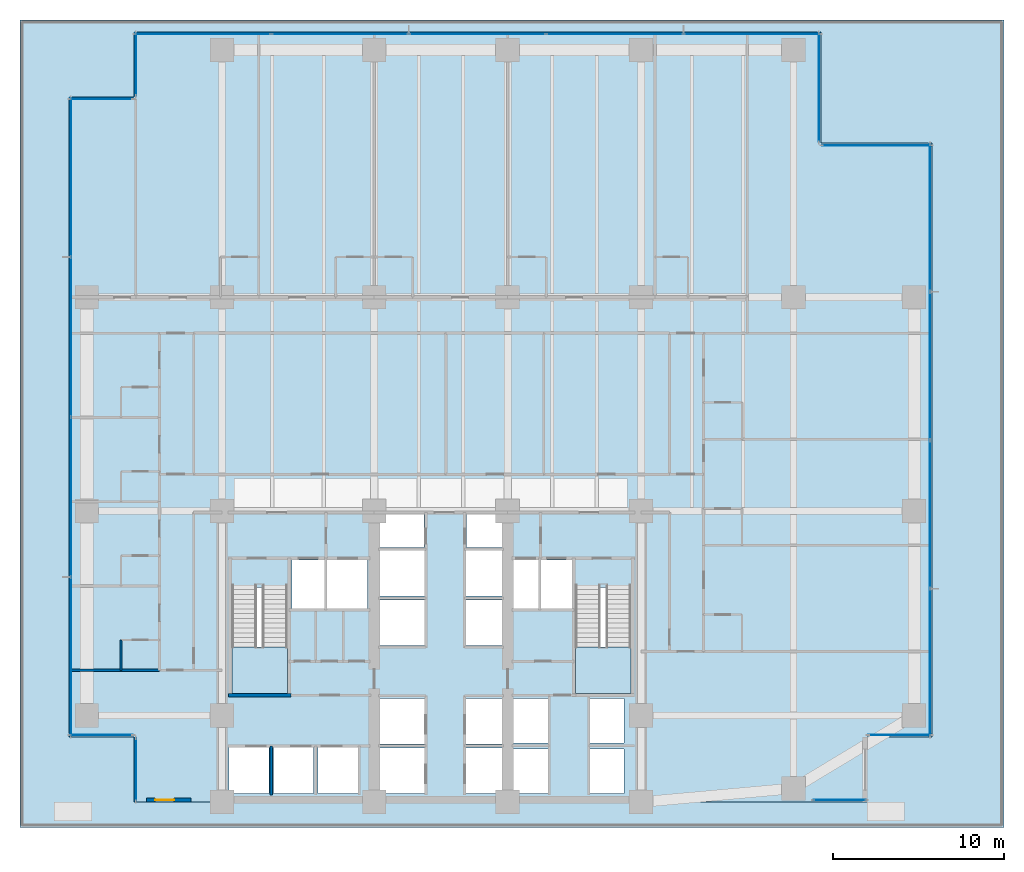
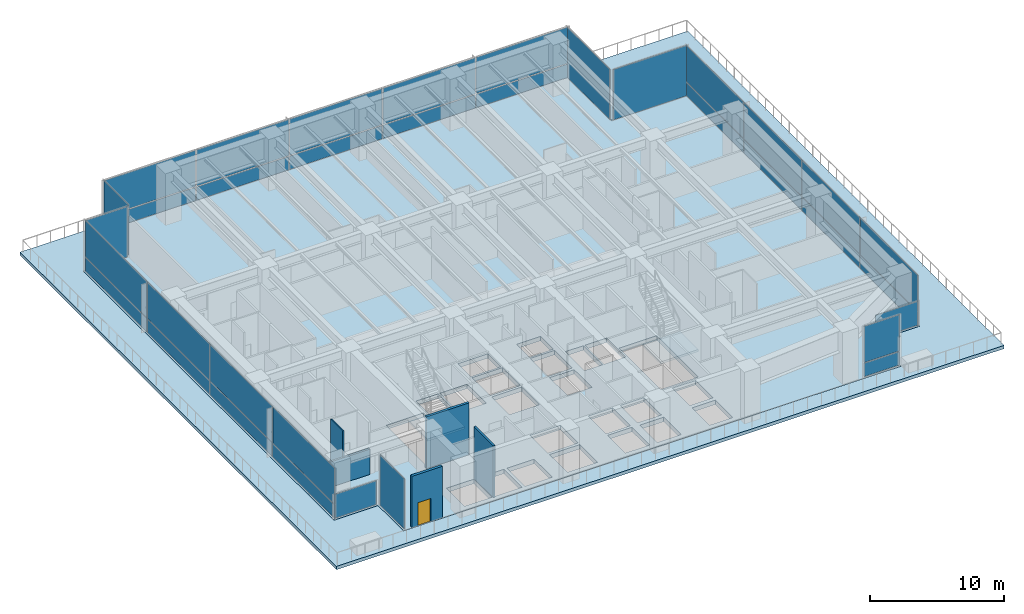
# One storey, part 6 of 19: 35 plates, 5 walls, 4 slabs, 1 door, 1 opening, 13 elements without a shape of their own.
"""IFC4 building model written with IfcOpenShell, lengths in metres."""

import ifcopenshell
import ifcopenshell.guid

model = None  # the IFC model being written
_history = None  # IfcOwnerHistory: only IFC2X3 demands one
_inside = {}  # id of a spatial element -> (the spatial element, [elements in it])
_under = {}  # id of a project, library or spatial element -> (it, [spatial elements below it])
_declared = {}  # id of a project -> (the project, [libraries it declares])
_typed = {}  # id of a type object -> (the type object, [elements of that type])
_made_of = {}  # id of a material, layer set ... -> (it, [elements and type objects made of it])


def new_model(schema):
    """Start an empty IFC model of exactly this schema.

    Asked for "IFC4X3", IfcOpenShell would pick the latest addendum, in which some entities
    have other attributes; the version numbers below select the first issue.
    IFC2X3 requires an IfcOwnerHistory on every rooted entity: one is made here for all.
    """
    global model, _history
    if schema == "IFC4X3":
        model = ifcopenshell.file(schema_version=(4, 3, 0, 0))
    else:
        model = ifcopenshell.file(schema=schema)
    _inside.clear()
    _under.clear()
    _declared.clear()
    _typed.clear()
    _made_of.clear()
    _history = None
    if model.schema == "IFC2X3":
        org = make("IfcOrganization", Name="unknown")
        user = make(
            "IfcPersonAndOrganization",
            ThePerson=make("IfcPerson", FamilyName="unknown"),
            TheOrganization=org,
        )
        app = make(
            "IfcApplication",
            ApplicationDeveloper=org,
            Version="unknown",
            ApplicationFullName="unknown",
            ApplicationIdentifier="unknown",
        )
        _history = make(
            "IfcOwnerHistory",
            OwningUser=user,
            OwningApplication=app,
            ChangeAction="ADDED",
            CreationDate=0,
        )
    return model


def make(cls, **values):
    """One entity of the class cls with the attributes given. An attribute that is None is left unset."""
    return model.create_entity(
        cls, **{name: value for name, value in values.items() if value is not None}
    )


def rooted(cls, **values):
    """An entity with a GlobalId (a new one), such as an element, a storey or a relation."""
    return make(cls, GlobalId=ifcopenshell.guid.new(), OwnerHistory=_history, **values)


def si_unit(unit_type, name, prefix=None):
    """IfcSIUnit, for example si_unit("LENGTHUNIT", "METRE", prefix="MILLI")."""
    return make("IfcSIUnit", UnitType=unit_type, Prefix=prefix, Name=name)


def assignment(units):
    """IfcUnitAssignment: the units of a project."""
    return None if units is None else make("IfcUnitAssignment", Units=units)


def point(xyz):
    """IfcCartesianPoint."""
    return None if xyz is None else make("IfcCartesianPoint", Coordinates=xyz)


def direction(xyz):
    """IfcDirection."""
    return None if xyz is None else make("IfcDirection", DirectionRatios=xyz)


def frame(location, z_axis=None, x_axis=None):
    """IfcAxis2Placement3D, a coordinate frame: its origin and axes. An axis left out is left unset."""
    return make(
        "IfcAxis2Placement3D",
        Location=point(location),
        Axis=direction(z_axis),
        RefDirection=direction(x_axis),
    )


def frame_2d(location, x_axis=None):
    """IfcAxis2Placement2D, a coordinate frame in the plane: its origin and x axis."""
    return make(
        "IfcAxis2Placement2D", Location=point(location), RefDirection=direction(x_axis)
    )


def origin():
    """The frame at (0, 0, 0) with its axes left unset."""
    return frame((0.0, 0.0, 0.0))


def origin_2d():
    """The frame at (0, 0) in the plane with its x axis left unset."""
    return frame_2d((0.0, 0.0))


def place(relative_to, where):
    """IfcLocalPlacement: puts the frame where relative to a parent placement (None: the world)."""
    return make(
        "IfcLocalPlacement", PlacementRelTo=relative_to, RelativePlacement=where
    )


def context(
    kind, dimensions, precision=None, world=None, true_north=None, identifier=None
):
    """IfcGeometricRepresentationContext, for example the 3D "Model" context."""
    return make(
        "IfcGeometricRepresentationContext",
        ContextIdentifier=identifier,
        ContextType=kind,
        CoordinateSpaceDimension=dimensions,
        Precision=precision,
        WorldCoordinateSystem=world,
        TrueNorth=true_north,
    )


def subcontext(parent, identifier, kind, view, scale=None):
    """IfcGeometricRepresentationSubContext, for example "Body" below "Model"."""
    return make(
        "IfcGeometricRepresentationSubContext",
        ContextIdentifier=identifier,
        ContextType=kind,
        ParentContext=parent,
        TargetScale=scale,
        TargetView=view,
    )


def project(units=None, contexts=None):
    """IfcProject with its units and contexts."""
    return rooted(
        "IfcProject",
        Name="project",
        RepresentationContexts=contexts,
        UnitsInContext=assignment(units),
    )


def spatial(cls, under=None, at=None, **own):
    """A site, building, storey or space (cls), placed at a placement, below another one or the project."""
    s = rooted(cls, ObjectPlacement=at, **own)
    if under is not None:
        _under.setdefault(under.id(), (under, []))[1].append(s)
    return s


def polyline(points):
    """IfcPolyline through the points."""
    return make("IfcPolyline", Points=[point(p) for p in points])


def profile(cls, at=None, kind="AREA", **sizes):
    """A parametric profile (cls). Its sizes go by their IFC names, for example OverallWidth=200.0."""
    return make(cls, ProfileType=kind, Position=at, **sizes)


def rectangle(**sizes):
    """IfcRectangleProfileDef."""
    return profile("IfcRectangleProfileDef", **sizes)


def outline(outer, holes=None, kind="AREA"):
    """IfcArbitraryClosedProfileDef: a profile drawn as a closed curve; with holes, ...WithVoids."""
    if holes is None:
        return make("IfcArbitraryClosedProfileDef", ProfileType=kind, OuterCurve=outer)
    return make(
        "IfcArbitraryProfileDefWithVoids",
        ProfileType=kind,
        OuterCurve=outer,
        InnerCurves=holes,
    )


def extrude(swept, where, along, depth):
    """IfcExtrudedAreaSolid: the profile swept, set in the frame where, extruded along a direction by depth."""
    return make(
        "IfcExtrudedAreaSolid",
        SweptArea=swept,
        Position=where,
        ExtrudedDirection=direction(along),
        Depth=depth,
    )


def shape(context_of_items, identifier, shape_type, items):
    """IfcShapeRepresentation: the items that make up one representation, for example the "Body"."""
    return make(
        "IfcShapeRepresentation",
        ContextOfItems=context_of_items,
        RepresentationIdentifier=identifier,
        RepresentationType=shape_type,
        Items=items,
    )


def material(Name=None, Category=None):
    """IfcMaterial."""
    return make("IfcMaterial", Name=Name, Category=Category)


def layer(
    of_material, thickness, ventilated=None, Name=None, Category=None, Priority=None
):
    """IfcMaterialLayer: one layer of a wall or slab, of a material (None: an air gap)."""
    return make(
        "IfcMaterialLayer",
        Material=of_material,
        LayerThickness=thickness,
        IsVentilated=ventilated,
        Name=Name,
        Category=Category,
        Priority=Priority,
    )


def layer_set(layers, Name=None):
    """IfcMaterialLayerSet."""
    return make("IfcMaterialLayerSet", MaterialLayers=layers, LayerSetName=Name)


def made_of(thing, what):
    """Note that an element or type object is made of a material, layer set ...; save() writes the relation."""
    if what is not None:
        _made_of.setdefault(what.id(), (what, []))[1].append(thing)
    return thing


def type_object(cls, material=None, **own):
    """A type object (cls), such as IfcWallType, which elements share."""
    return made_of(rooted(cls, **own), material)


def element(
    cls,
    number,
    at=None,
    inside=None,
    cuts=None,
    type_object=None,
    material=None,
    context=None,
    identifier="Body",
    shape_type=None,
    held_by="IfcProductDefinitionShape",
    body=None,
    shapes=None,
    **own,
):
    """One element of the class cls, such as IfcWall. Its Tag is "e" and its number.

    at: its placement. inside: the storey or other place that contains it. cuts: it is an
    opening in that element (IfcRelVoidsElement). A single representation is given by context,
    identifier, shape_type and body (its items); several are given by shapes. held_by: the class
    of the entity that holds the representations. save() writes the other relations.
    """
    e = rooted(cls, Tag="e%d" % number, ObjectPlacement=at, **own)
    if body is not None:
        shapes = [shape(context, identifier, shape_type, body)]
    if shapes is not None:
        e.Representation = make(held_by, Representations=shapes)
    if inside is not None:
        _inside.setdefault(inside.id(), (inside, []))[1].append(e)
    if cuts is not None:
        rooted(
            "IfcRelVoidsElement", RelatingBuildingElement=cuts, RelatedOpeningElement=e
        )
    if type_object is not None:
        _typed.setdefault(type_object.id(), (type_object, []))[1].append(e)
    return made_of(e, material)


def fill(opening, filler):
    """IfcRelFillsElement: the door or window that sits in an opening."""
    return rooted(
        "IfcRelFillsElement",
        RelatingOpeningElement=opening,
        RelatedBuildingElement=filler,
    )


def aggregate(whole, parts):
    """IfcRelAggregates: a whole, such as a stair, and the parts it consists of."""
    return rooted("IfcRelAggregates", RelatingObject=whole, RelatedObjects=parts)


def save(model, path):
    """Write the relations noted so far, then the file.

    IfcRelAggregates (storeys below a building ...), IfcRelContainedInSpatialStructure (elements
    in a storey), IfcRelDefinesByType, IfcRelAssociatesMaterial and IfcRelDeclares: one each for
    every whole, place, type object, material and project.
    """
    for whole, parts in _under.values():
        aggregate(whole, parts)
    for where, things in _inside.values():
        rooted(
            "IfcRelContainedInSpatialStructure",
            RelatedElements=things,
            RelatingStructure=where,
        )
    for kind, things in _typed.values():
        rooted("IfcRelDefinesByType", RelatedObjects=things, RelatingType=kind)
    for what, things in _made_of.values():
        rooted("IfcRelAssociatesMaterial", RelatedObjects=things, RelatingMaterial=what)
    for by, libraries in _declared.values():
        rooted("IfcRelDeclares", RelatingContext=by, RelatedDefinitions=libraries)
    model.write(path)


model = new_model("IFC4")

# Units and contexts
model_context = context("Model", 3, precision=1e-05, world=origin(), true_north=direction((0.0, 1.0)))
body_context = subcontext(model_context, "Body", "Model", "MODEL_VIEW")
ifc_project = project(units=[si_unit("LENGTHUNIT", "METRE"), si_unit("AREAUNIT", "SQUARE_METRE"), si_unit("VOLUMEUNIT", "CUBIC_METRE"), si_unit("PLANEANGLEUNIT", "RADIAN"), si_unit("MASSUNIT", "GRAM", prefix="KILO")], contexts=[model_context])

# Site, building, storey
site_placement = place(None, origin())
site = spatial("IfcSite", under=ifc_project, at=site_placement, CompositionType="ELEMENT")
building_placement = place(site_placement, origin())
building = spatial("IfcBuilding", under=site, at=building_placement, Name="Qalmaran Belvedere Hotel", CompositionType="ELEMENT")
storey_placement = place(building_placement, frame((0.0, 0.0, 28.39990234375)))
storey = spatial("IfcBuildingStorey", under=building, at=storey_placement, Name="L06", CompositionType="ELEMENT", Elevation=28.39990234375)

# Curtain wall, plate
ifc_material_1 = material(Name="Anodised Bronze Aluminium", Category="aluminium")
ifc_layer_1 = layer(ifc_material_1, 0.2099609375, Name="Anodised Bronze Aluminium")
ifc_layer_set_1 = layer_set([ifc_layer_1], Name="Anodised Bronze Aluminium")
curtain_wall_type = type_object("IfcCurtainWallType", Name="CW2-TOWER-LOWER", PredefinedType="NOTDEFINED", material=ifc_layer_set_1)
curtain_wall_1_placement = place(storey_placement, origin())
curtain_wall_1 = element("IfcCurtainWall", 1, at=curtain_wall_1_placement, inside=storey, type_object=curtain_wall_type, Name="L06 Curtain Wall CW2", PredefinedType="NOTDEFINED")
ifc_material_2 = material(Name="Anodised Bronze Spandrel Panel")
ifc_layer_2 = layer(ifc_material_2, 0.035888671875, Name="Anodised Bronze Spandrel Panel")
ifc_layer_set_2 = layer_set([ifc_layer_2], Name="Anodised Bronze Spandrel Panel")
plate_type_1 = type_object("IfcPlateType", Name="CWP-SPANDREL-36", PredefinedType="CURTAIN_PANEL", material=ifc_layer_set_2)
plate_1_placement = place(storey_placement, frame((56.39990234375, 3.6201171875, 0.0703125), z_axis=(0.0, 0.0, 1.0), x_axis=(1.0, 0.0, 0.0)))
plate_1 = element("IfcPlate", 2, at=plate_1_placement, type_object=plate_type_1, Name="CW2 panel 1.1", PredefinedType="CURTAIN_PANEL", context=body_context, shape_type="SweptSolid", body=[
    extrude(rectangle(XDim=3.050048828125, YDim=0.035888671875, at=origin_2d()), origin(), (0.0, 0.0, 1.0), 1.216552734375),
])

# Curtain wall, plates
curtain_wall_2_placement = place(storey_placement, origin())
curtain_wall_2 = element("IfcCurtainWall", 3, at=curtain_wall_2_placement, inside=storey, type_object=curtain_wall_type, Name="L06 Curtain Wall CW2", PredefinedType="NOTDEFINED")
plate_2_placement = place(storey_placement, frame((61.679931640625, 11.65625, 0.0703125), z_axis=(0.0, 0.0, 1.0), x_axis=(0.0, 1.0, 0.0)))
plate_2 = element("IfcPlate", 4, at=plate_2_placement, type_object=plate_type_1, Name="CW2 panel 1.1", PredefinedType="CURTAIN_PANEL", context=body_context, shape_type="SweptSolid", body=[
    extrude(rectangle(XDim=8.5625, YDim=0.035888671875, at=origin_2d()), origin(), (0.0, 0.0, 1.0), 1.216552734375),
])
plate_3_placement = place(storey_placement, frame((61.679931640625, 20.3125, 0.0703125), z_axis=(0.0, 0.0, 1.0), x_axis=(0.0, 1.0, 0.0)))
plate_3 = element("IfcPlate", 5, at=plate_3_placement, type_object=plate_type_1, Name="CW2 panel 2.1", PredefinedType="CURTAIN_PANEL", context=body_context, shape_type="SweptSolid", body=[
    extrude(rectangle(XDim=8.60009765625, YDim=0.035888671875, at=origin_2d()), origin(), (0.0, 0.0, 1.0), 1.216552734375),
])
plate_4_placement = place(storey_placement, frame((61.679931640625, 28.987548828125, 0.0703125), z_axis=(0.0, 0.0, 1.0), x_axis=(0.0, 1.0, 0.0)))
plate_4 = element("IfcPlate", 6, at=plate_4_placement, type_object=plate_type_1, Name="CW2 panel 3.1", PredefinedType="CURTAIN_PANEL", context=body_context, shape_type="SweptSolid", body=[
    extrude(rectangle(XDim=8.60009765625, YDim=0.035888671875, at=origin_2d()), origin(), (0.0, 0.0, 1.0), 1.216552734375),
])
plate_5_placement = place(storey_placement, frame((61.679931640625, 37.643798828125, 0.0703125), z_axis=(0.0, 0.0, 1.0), x_axis=(0.0, 1.0, 0.0)))
plate_5 = element("IfcPlate", 7, at=plate_5_placement, type_object=plate_type_1, Name="CW2 panel 4.1", PredefinedType="CURTAIN_PANEL", context=body_context, shape_type="SweptSolid", body=[
    extrude(rectangle(XDim=8.5625, YDim=0.035888671875, at=origin_2d()), origin(), (0.0, 0.0, 1.0), 1.216552734375),
])

curtain_wall_3_placement = place(storey_placement, origin())
curtain_wall_3 = element("IfcCurtainWall", 8, at=curtain_wall_3_placement, inside=storey, type_object=curtain_wall_type, Name="L06 Curtain Wall CW2", PredefinedType="NOTDEFINED")
plate_6_placement = place(storey_placement, frame((51.266357421875, 48.3798828125, 0.0703125), z_axis=(0.0, 0.0, 1.0), x_axis=(-1.0, 0.0, 0.0)))
plate_6 = element("IfcPlate", 9, at=plate_6_placement, type_object=plate_type_1, Name="CW2 panel 1.1", PredefinedType="CURTAIN_PANEL", context=body_context, shape_type="SweptSolid", body=[
    extrude(rectangle(XDim=7.91748046875, YDim=0.035888671875, at=origin_2d()), origin(), (0.0, 0.0, 1.0), 1.216552734375),
])
plate_7_placement = place(storey_placement, frame((43.2548828125, 48.3798828125, 0.0703125), z_axis=(0.0, 0.0, 1.0), x_axis=(-1.0, 0.0, 0.0)))
plate_7 = element("IfcPlate", 10, at=plate_7_placement, type_object=plate_type_1, Name="CW2 panel 2.1", PredefinedType="CURTAIN_PANEL", context=body_context, shape_type="SweptSolid", body=[
    extrude(rectangle(XDim=7.955078125, YDim=0.035888671875, at=origin_2d()), origin(), (0.0, 0.0, 1.0), 1.216552734375),
])
plate_8_placement = place(storey_placement, frame((35.22509765625, 48.3798828125, 0.0703125), z_axis=(0.0, 0.0, 1.0), x_axis=(-1.0, 0.0, 0.0)))
plate_8 = element("IfcPlate", 11, at=plate_8_placement, type_object=plate_type_1, Name="CW2 panel 3.1", PredefinedType="CURTAIN_PANEL", context=body_context, shape_type="SweptSolid", body=[
    extrude(rectangle(XDim=7.955078125, YDim=0.035888671875, at=origin_2d()), origin(), (0.0, 0.0, 1.0), 1.216552734375),
])
plate_9_placement = place(storey_placement, frame((27.195068359375, 48.3798828125, 0.0703125), z_axis=(0.0, 0.0, 1.0), x_axis=(-1.0, 0.0, 0.0)))
plate_9 = element("IfcPlate", 12, at=plate_9_placement, type_object=plate_type_1, Name="CW2 panel 4.1", PredefinedType="CURTAIN_PANEL", context=body_context, shape_type="SweptSolid", body=[
    extrude(rectangle(XDim=7.955078125, YDim=0.035888671875, at=origin_2d()), origin(), (0.0, 0.0, 1.0), 1.216552734375),
])
plate_10_placement = place(storey_placement, frame((19.183837890625, 48.3798828125, 0.0703125), z_axis=(0.0, 0.0, 1.0), x_axis=(-1.0, 0.0, 0.0)))
plate_10 = element("IfcPlate", 13, at=plate_10_placement, type_object=plate_type_1, Name="CW2 panel 5.1", PredefinedType="CURTAIN_PANEL", context=body_context, shape_type="SweptSolid", body=[
    extrude(rectangle(XDim=7.91748046875, YDim=0.035888671875, at=origin_2d()), origin(), (0.0, 0.0, 1.0), 1.216552734375),
])

curtain_wall_4_placement = place(storey_placement, origin())
curtain_wall_4 = element("IfcCurtainWall", 14, at=curtain_wall_4_placement, inside=storey, type_object=curtain_wall_type, Name="L06 Curtain Wall CW2", PredefinedType="NOTDEFINED")
plate_11_placement = place(storey_placement, frame((11.469970703125, 40.00634765625, 0.0703125), z_axis=(0.0, 0.0, 1.0), x_axis=(0.0, -1.0, 0.0)))
plate_11 = element("IfcPlate", 15, at=plate_11_placement, type_object=plate_type_1, Name="CW2 panel 1.1", PredefinedType="CURTAIN_PANEL", context=body_context, shape_type="SweptSolid", body=[
    extrude(rectangle(XDim=9.237548828125, YDim=0.035888671875, at=origin_2d()), origin(), (0.0, 0.0, 1.0), 1.216552734375),
])
plate_12_placement = place(storey_placement, frame((11.469970703125, 30.675048828125, 0.0703125), z_axis=(0.0, 0.0, 1.0), x_axis=(0.0, -1.0, 0.0)))
plate_12 = element("IfcPlate", 16, at=plate_12_placement, type_object=plate_type_1, Name="CW2 panel 2.1", PredefinedType="CURTAIN_PANEL", context=body_context, shape_type="SweptSolid", body=[
    extrude(rectangle(XDim=9.27490234375, YDim=0.035888671875, at=origin_2d()), origin(), (0.0, 0.0, 1.0), 1.216552734375),
])
plate_13_placement = place(storey_placement, frame((11.469970703125, 21.324951171875, 0.0703125), z_axis=(0.0, 0.0, 1.0), x_axis=(0.0, -1.0, 0.0)))
plate_13 = element("IfcPlate", 17, at=plate_13_placement, type_object=plate_type_1, Name="CW2 panel 3.1", PredefinedType="CURTAIN_PANEL", context=body_context, shape_type="SweptSolid", body=[
    extrude(rectangle(XDim=9.27490234375, YDim=0.035888671875, at=origin_2d()), origin(), (0.0, 0.0, 1.0), 1.216552734375),
])
plate_14_placement = place(storey_placement, frame((11.469970703125, 11.99365234375, 0.0703125), z_axis=(0.0, 0.0, 1.0), x_axis=(0.0, -1.0, 0.0)))
plate_14 = element("IfcPlate", 18, at=plate_14_placement, type_object=plate_type_1, Name="CW2 panel 4.1", PredefinedType="CURTAIN_PANEL", context=body_context, shape_type="SweptSolid", body=[
    extrude(rectangle(XDim=9.237548828125, YDim=0.035888671875, at=origin_2d()), origin(), (0.0, 0.0, 1.0), 1.216552734375),
])

# Plate
ifc_material_3 = material(Name="Solar-Control Double Glazing", Category="glass")
ifc_layer_3 = layer(ifc_material_3, 0.028076171875, Name="Solar-Control Double Glazing")
ifc_layer_set_3 = layer_set([ifc_layer_3], Name="Solar-Control Double Glazing")
plate_type_2 = type_object("IfcPlateType", Name="CWP-VISION-28", PredefinedType="CURTAIN_PANEL", material=ifc_layer_set_3)
plate_15_placement = place(storey_placement, frame((56.39990234375, 3.6201171875, 1.356689453125), z_axis=(0.0, 0.0, 1.0), x_axis=(1.0, 0.0, 0.0)))
plate_15 = element("IfcPlate", 19, at=plate_15_placement, type_object=plate_type_2, Name="CW2 panel 1.2", PredefinedType="CURTAIN_PANEL", context=body_context, shape_type="SweptSolid", body=[
    extrude(rectangle(XDim=3.050048828125, YDim=0.028076171875, at=origin_2d()), origin(), (0.0, 0.0, 1.0), 3.29345703125),
])

aggregate(curtain_wall_1, [plate_1, plate_15])

# Curtain wall, plate
curtain_wall_5_placement = place(storey_placement, origin())
curtain_wall_5 = element("IfcCurtainWall", 20, at=curtain_wall_5_placement, inside=storey, type_object=curtain_wall_type, Name="L06 Curtain Wall CW2", PredefinedType="NOTDEFINED")
plate_16_placement = place(storey_placement, frame((59.89990234375, 7.419921875, 0.070068359375), z_axis=(0.0, 0.0, 1.0), x_axis=(1.0, 0.0, 0.0)))
plate_16 = element("IfcPlate", 21, at=plate_16_placement, type_object=plate_type_2, Name="CW2 panel 1.1", PredefinedType="CURTAIN_PANEL", context=body_context, shape_type="SweptSolid", body=[
    extrude(rectangle(XDim=3.64990234375, YDim=0.028076171875, at=origin_2d()), origin(), (0.0, 0.0, 1.0), 2.1650390625),
])
aggregate(curtain_wall_5, [plate_16])

# Plate
plate_17_placement = place(storey_placement, frame((61.679931640625, 11.65625, 1.356689453125), z_axis=(0.0, 0.0, 1.0), x_axis=(0.0, 1.0, 0.0)))
plate_17 = element("IfcPlate", 22, at=plate_17_placement, type_object=plate_type_2, Name="CW2 panel 1.2", PredefinedType="CURTAIN_PANEL", context=body_context, shape_type="SweptSolid", body=[
    extrude(rectangle(XDim=8.5625, YDim=0.028076171875, at=origin_2d()), origin(), (0.0, 0.0, 1.0), 3.29345703125),
])

plate_18_placement = place(storey_placement, frame((61.679931640625, 20.3125, 1.356689453125), z_axis=(0.0, 0.0, 1.0), x_axis=(0.0, 1.0, 0.0)))
plate_18 = element("IfcPlate", 23, at=plate_18_placement, type_object=plate_type_2, Name="CW2 panel 2.2", PredefinedType="CURTAIN_PANEL", context=body_context, shape_type="SweptSolid", body=[
    extrude(rectangle(XDim=8.60009765625, YDim=0.028076171875, at=origin_2d()), origin(), (0.0, 0.0, 1.0), 3.29345703125),
])

plate_19_placement = place(storey_placement, frame((61.679931640625, 28.987548828125, 1.356689453125), z_axis=(0.0, 0.0, 1.0), x_axis=(0.0, 1.0, 0.0)))
plate_19 = element("IfcPlate", 24, at=plate_19_placement, type_object=plate_type_2, Name="CW2 panel 3.2", PredefinedType="CURTAIN_PANEL", context=body_context, shape_type="SweptSolid", body=[
    extrude(rectangle(XDim=8.60009765625, YDim=0.028076171875, at=origin_2d()), origin(), (0.0, 0.0, 1.0), 3.29345703125),
])

plate_20_placement = place(storey_placement, frame((61.679931640625, 37.643798828125, 1.356689453125), z_axis=(0.0, 0.0, 1.0), x_axis=(0.0, 1.0, 0.0)))
plate_20 = element("IfcPlate", 25, at=plate_20_placement, type_object=plate_type_2, Name="CW2 panel 4.2", PredefinedType="CURTAIN_PANEL", context=body_context, shape_type="SweptSolid", body=[
    extrude(rectangle(XDim=8.5625, YDim=0.028076171875, at=origin_2d()), origin(), (0.0, 0.0, 1.0), 3.29345703125),
])

aggregate(curtain_wall_2, [plate_2, plate_17, plate_3, plate_18, plate_4, plate_19, plate_5, plate_20])

# Curtain wall, plate
curtain_wall_6_placement = place(storey_placement, origin())
curtain_wall_6 = element("IfcCurtainWall", 26, at=curtain_wall_6_placement, inside=storey, type_object=curtain_wall_type, Name="L06 Curtain Wall CW2", PredefinedType="NOTDEFINED")
plate_21_placement = place(storey_placement, frame((58.550048828125, 41.8798828125, 0.070068359375), z_axis=(0.0, 0.0, 1.0), x_axis=(-1.0, 0.0, 0.0)))
plate_21 = element("IfcPlate", 27, at=plate_21_placement, type_object=plate_type_2, Name="CW2 panel 1.1", PredefinedType="CURTAIN_PANEL", context=body_context, shape_type="SweptSolid", body=[
    extrude(rectangle(XDim=6.35009765625, YDim=0.028076171875, at=origin_2d()), origin(), (0.0, 0.0, 1.0), 4.580078125),
])
aggregate(curtain_wall_6, [plate_21])

curtain_wall_7_placement = place(storey_placement, origin())
curtain_wall_7 = element("IfcCurtainWall", 28, at=curtain_wall_7_placement, inside=storey, type_object=curtain_wall_type, Name="L06 Curtain Wall CW2", PredefinedType="NOTDEFINED")
plate_22_placement = place(storey_placement, frame((55.179931640625, 45.25, 0.070068359375), z_axis=(0.0, 0.0, 1.0), x_axis=(0.0, 1.0, 0.0)))
plate_22 = element("IfcPlate", 29, at=plate_22_placement, type_object=plate_type_2, Name="CW2 panel 1.1", PredefinedType="CURTAIN_PANEL", context=body_context, shape_type="SweptSolid", body=[
    extrude(rectangle(XDim=6.35009765625, YDim=0.028076171875, at=origin_2d()), origin(), (0.0, 0.0, 1.0), 4.580078125),
])
aggregate(curtain_wall_7, [plate_22])

# Plate
plate_23_placement = place(storey_placement, frame((51.266357421875, 48.3798828125, 1.356689453125), z_axis=(0.0, 0.0, 1.0), x_axis=(-1.0, 0.0, 0.0)))
plate_23 = element("IfcPlate", 30, at=plate_23_placement, type_object=plate_type_2, Name="CW2 panel 1.2", PredefinedType="CURTAIN_PANEL", context=body_context, shape_type="SweptSolid", body=[
    extrude(rectangle(XDim=7.91748046875, YDim=0.028076171875, at=origin_2d()), origin(), (0.0, 0.0, 1.0), 3.29345703125),
])

plate_24_placement = place(storey_placement, frame((43.2548828125, 48.3798828125, 1.356689453125), z_axis=(0.0, 0.0, 1.0), x_axis=(-1.0, 0.0, 0.0)))
plate_24 = element("IfcPlate", 31, at=plate_24_placement, type_object=plate_type_2, Name="CW2 panel 2.2", PredefinedType="CURTAIN_PANEL", context=body_context, shape_type="SweptSolid", body=[
    extrude(rectangle(XDim=7.955078125, YDim=0.028076171875, at=origin_2d()), origin(), (0.0, 0.0, 1.0), 3.29345703125),
])

plate_25_placement = place(storey_placement, frame((35.22509765625, 48.3798828125, 1.356689453125), z_axis=(0.0, 0.0, 1.0), x_axis=(-1.0, 0.0, 0.0)))
plate_25 = element("IfcPlate", 32, at=plate_25_placement, type_object=plate_type_2, Name="CW2 panel 3.2", PredefinedType="CURTAIN_PANEL", context=body_context, shape_type="SweptSolid", body=[
    extrude(rectangle(XDim=7.955078125, YDim=0.028076171875, at=origin_2d()), origin(), (0.0, 0.0, 1.0), 3.29345703125),
])

plate_26_placement = place(storey_placement, frame((27.195068359375, 48.3798828125, 1.356689453125), z_axis=(0.0, 0.0, 1.0), x_axis=(-1.0, 0.0, 0.0)))
plate_26 = element("IfcPlate", 33, at=plate_26_placement, type_object=plate_type_2, Name="CW2 panel 4.2", PredefinedType="CURTAIN_PANEL", context=body_context, shape_type="SweptSolid", body=[
    extrude(rectangle(XDim=7.955078125, YDim=0.028076171875, at=origin_2d()), origin(), (0.0, 0.0, 1.0), 3.29345703125),
])

plate_27_placement = place(storey_placement, frame((19.183837890625, 48.3798828125, 1.356689453125), z_axis=(0.0, 0.0, 1.0), x_axis=(-1.0, 0.0, 0.0)))
plate_27 = element("IfcPlate", 34, at=plate_27_placement, type_object=plate_type_2, Name="CW2 panel 5.2", PredefinedType="CURTAIN_PANEL", context=body_context, shape_type="SweptSolid", body=[
    extrude(rectangle(XDim=7.91748046875, YDim=0.028076171875, at=origin_2d()), origin(), (0.0, 0.0, 1.0), 3.29345703125),
])

aggregate(curtain_wall_3, [plate_6, plate_23, plate_7, plate_24, plate_8, plate_25, plate_9, plate_26, plate_10, plate_27])

# Curtain wall, plate
curtain_wall_8_placement = place(storey_placement, origin())
curtain_wall_8 = element("IfcCurtainWall", 35, at=curtain_wall_8_placement, inside=storey, type_object=curtain_wall_type, Name="L06 Curtain Wall CW2", PredefinedType="NOTDEFINED")
plate_28_placement = place(storey_placement, frame((15.27001953125, 46.60009765625, 0.070068359375), z_axis=(0.0, 0.0, 1.0), x_axis=(0.0, -1.0, 0.0)))
plate_28 = element("IfcPlate", 36, at=plate_28_placement, type_object=plate_type_2, Name="CW2 panel 1.1", PredefinedType="CURTAIN_PANEL", context=body_context, shape_type="SweptSolid", body=[
    extrude(rectangle(XDim=3.64990234375, YDim=0.028076171875, at=origin_2d()), origin(), (0.0, 0.0, 1.0), 4.580078125),
])
aggregate(curtain_wall_8, [plate_28])

curtain_wall_9_placement = place(storey_placement, origin())
curtain_wall_9 = element("IfcCurtainWall", 37, at=curtain_wall_9_placement, inside=storey, type_object=curtain_wall_type, Name="L06 Curtain Wall CW2", PredefinedType="NOTDEFINED")
plate_29_placement = place(storey_placement, frame((13.25, 44.580078125, 0.070068359375), z_axis=(0.0, 0.0, 1.0), x_axis=(-1.0, 0.0, 0.0)))
plate_29 = element("IfcPlate", 38, at=plate_29_placement, type_object=plate_type_2, Name="CW2 panel 1.1", PredefinedType="CURTAIN_PANEL", context=body_context, shape_type="SweptSolid", body=[
    extrude(rectangle(XDim=3.64990234375, YDim=0.028076171875, at=origin_2d()), origin(), (0.0, 0.0, 1.0), 4.580078125),
])
aggregate(curtain_wall_9, [plate_29])

# Plate
plate_30_placement = place(storey_placement, frame((11.469970703125, 40.00634765625, 1.356689453125), z_axis=(0.0, 0.0, 1.0), x_axis=(0.0, -1.0, 0.0)))
plate_30 = element("IfcPlate", 39, at=plate_30_placement, type_object=plate_type_2, Name="CW2 panel 1.2", PredefinedType="CURTAIN_PANEL", context=body_context, shape_type="SweptSolid", body=[
    extrude(rectangle(XDim=9.237548828125, YDim=0.028076171875, at=origin_2d()), origin(), (0.0, 0.0, 1.0), 3.29345703125),
])

plate_31_placement = place(storey_placement, frame((11.469970703125, 30.675048828125, 1.356689453125), z_axis=(0.0, 0.0, 1.0), x_axis=(0.0, -1.0, 0.0)))
plate_31 = element("IfcPlate", 40, at=plate_31_placement, type_object=plate_type_2, Name="CW2 panel 2.2", PredefinedType="CURTAIN_PANEL", context=body_context, shape_type="SweptSolid", body=[
    extrude(rectangle(XDim=9.27490234375, YDim=0.028076171875, at=origin_2d()), origin(), (0.0, 0.0, 1.0), 3.29345703125),
])

plate_32_placement = place(storey_placement, frame((11.469970703125, 21.324951171875, 1.356689453125), z_axis=(0.0, 0.0, 1.0), x_axis=(0.0, -1.0, 0.0)))
plate_32 = element("IfcPlate", 41, at=plate_32_placement, type_object=plate_type_2, Name="CW2 panel 3.2", PredefinedType="CURTAIN_PANEL", context=body_context, shape_type="SweptSolid", body=[
    extrude(rectangle(XDim=9.27490234375, YDim=0.028076171875, at=origin_2d()), origin(), (0.0, 0.0, 1.0), 3.29345703125),
])

plate_33_placement = place(storey_placement, frame((11.469970703125, 11.99365234375, 1.356689453125), z_axis=(0.0, 0.0, 1.0), x_axis=(0.0, -1.0, 0.0)))
plate_33 = element("IfcPlate", 42, at=plate_33_placement, type_object=plate_type_2, Name="CW2 panel 4.2", PredefinedType="CURTAIN_PANEL", context=body_context, shape_type="SweptSolid", body=[
    extrude(rectangle(XDim=9.237548828125, YDim=0.028076171875, at=origin_2d()), origin(), (0.0, 0.0, 1.0), 3.29345703125),
])

aggregate(curtain_wall_4, [plate_11, plate_30, plate_12, plate_31, plate_13, plate_32, plate_14, plate_33])

# Curtain wall, plate
curtain_wall_10_placement = place(storey_placement, origin())
curtain_wall_10 = element("IfcCurtainWall", 43, at=curtain_wall_10_placement, inside=storey, type_object=curtain_wall_type, Name="L06 Curtain Wall CW2", PredefinedType="NOTDEFINED")
plate_34_placement = place(storey_placement, frame((13.25, 7.419921875, 0.070068359375), z_axis=(0.0, 0.0, 1.0), x_axis=(1.0, 0.0, 0.0)))
plate_34 = element("IfcPlate", 44, at=plate_34_placement, type_object=plate_type_2, Name="CW2 panel 1.1", PredefinedType="CURTAIN_PANEL", context=body_context, shape_type="SweptSolid", body=[
    extrude(rectangle(XDim=3.64990234375, YDim=0.028076171875, at=origin_2d()), origin(), (0.0, 0.0, 1.0), 2.1650390625),
])
aggregate(curtain_wall_10, [plate_34])

curtain_wall_11_placement = place(storey_placement, origin())
curtain_wall_11 = element("IfcCurtainWall", 45, at=curtain_wall_11_placement, inside=storey, type_object=curtain_wall_type, Name="L06 Curtain Wall CW2", PredefinedType="NOTDEFINED")
plate_35_placement = place(storey_placement, frame((15.27001953125, 5.39990234375, 0.070068359375), z_axis=(0.0, 0.0, 1.0), x_axis=(0.0, -1.0, 0.0)))
plate_35 = element("IfcPlate", 46, at=plate_35_placement, type_object=plate_type_2, Name="CW2 panel 1.1", PredefinedType="CURTAIN_PANEL", context=body_context, shape_type="SweptSolid", body=[
    extrude(rectangle(XDim=3.64990234375, YDim=0.028076171875, at=origin_2d()), origin(), (0.0, 0.0, 1.0), 4.580078125),
])
aggregate(curtain_wall_11, [plate_35])

# Stair, slab
ifc_material_4 = material(Name="Concrete C40/50", Category="concrete")
stair_type_1 = type_object("IfcStairType", Name="STR-ST-1-1450-R1786", PredefinedType="HALF_TURN_STAIR", material=ifc_material_4)
stair_1_placement = place(storey_placement, origin())
stair_1 = element("IfcStair", 47, at=stair_1_placement, inside=storey, type_object=stair_type_1, Name="L06 West Core Exit Stair ST-1", PredefinedType="HALF_TURN_STAIR")
ifc_layer_4 = layer(ifc_material_4, 0.199951171875, Name="Concrete C40/50")
ifc_layer_set_4 = layer_set([ifc_layer_4], Name="Concrete C40/50")
slab_type_1 = type_object("IfcSlabType", Name="SLB-STAIR-LANDING-200", PredefinedType="LANDING", material=ifc_layer_set_4)
slab_1_placement = place(storey_placement, frame((0.0, 0.0, 2.300048828125)))
slab_1 = element("IfcSlab", 48, at=slab_1_placement, type_object=slab_type_1, Name="ST-1 landing 1", PredefinedType="LANDING", context=body_context, shape_type="SweptSolid", body=[
    extrude(outline(polyline([(20.8798828125, 12.550048828125), (20.8798828125, 9.85009765625), (24.1201171875, 9.85009765625), (24.1201171875, 12.550048828125), (20.8798828125, 12.550048828125)])), origin(), (0.0, 0.0, 1.0), 0.199951171875),
])
aggregate(stair_1, [slab_1])

stair_type_2 = type_object("IfcStairType", Name="STR-ST-2-1450-R1786", PredefinedType="HALF_TURN_STAIR", material=ifc_material_4)
stair_2_placement = place(storey_placement, origin())
stair_2 = element("IfcStair", 49, at=stair_2_placement, inside=storey, type_object=stair_type_2, Name="L06 East Core Exit Stair ST-2", PredefinedType="HALF_TURN_STAIR")
slab_2_placement = place(storey_placement, frame((0.0, 0.0, 2.300048828125)))
slab_2 = element("IfcSlab", 50, at=slab_2_placement, type_object=slab_type_1, Name="ST-2 landing 1", PredefinedType="LANDING", context=body_context, shape_type="SweptSolid", body=[
    extrude(outline(polyline([(40.9599609375, 12.550048828125), (40.9599609375, 9.85009765625), (44.199951171875, 9.85009765625), (44.199951171875, 12.550048828125), (40.9599609375, 12.550048828125)])), origin(), (0.0, 0.0, 1.0), 0.199951171875),
])
aggregate(stair_2, [slab_2])

# Slabs
ifc_layer_5 = layer(ifc_material_4, 0.300048828125, Name="Concrete C40/50")
ifc_layer_set_5 = layer_set([ifc_layer_5], Name="Concrete C40/50")
slab_type_2 = type_object("IfcSlabType", Name="SLB-TER-300", PredefinedType="ROOF", material=ifc_layer_set_5)
slab_3_placement = place(storey_placement, frame((0.0, 0.0, -0.2998046875)))
element("IfcSlab", 51, at=slab_3_placement, inside=storey, type_object=slab_type_2, Name="L06 Podium Roof Terrace 1", PredefinedType="ROOF", context=body_context, shape_type="SweptSolid", body=[
    extrude(outline(polyline([(8.5, 49.199951171875), (66.0, 49.199951171875), (66.0, 2.0), (8.5, 2.0), (8.5, 49.199951171875)]), holes=[polyline([(58.0, 3.5), (58.0, 7.300048828125), (61.800048828125, 7.300048828125), (61.800048828125, 42.0), (55.300048828125, 42.0), (55.300048828125, 48.5), (15.14990234375, 48.5), (15.14990234375, 44.699951171875), (11.35009765625, 44.699951171875), (11.35009765625, 7.300048828125), (15.14990234375, 7.300048828125), (15.14990234375, 3.5), (58.0, 3.5)])]), origin(), (0.0, 0.0, 1.0), 0.2998046875),
])
ifc_layer_6 = layer(ifc_material_4, 0.39990234375, Name="Concrete C40/50")
ifc_layer_set_6 = layer_set([ifc_layer_6], Name="Concrete C40/50")
slab_type_3 = type_object("IfcSlabType", Name="SLB-TRF-400", PredefinedType="FLOOR", material=ifc_layer_set_6)
slab_4_placement = place(storey_placement, frame((0.0, 0.0, -0.39990234375)))
element("IfcSlab", 52, at=slab_4_placement, inside=storey, type_object=slab_type_3, Name="L06 Structural Floor Slab", PredefinedType="FLOOR", context=body_context, shape_type="SweptSolid", body=[
    extrude(outline(polyline([(15.14990234375, 3.5), (58.0, 3.5), (58.0, 7.300048828125), (61.800048828125, 7.300048828125), (61.800048828125, 42.0), (55.300048828125, 42.0), (55.300048828125, 48.5), (15.14990234375, 48.5), (15.14990234375, 44.699951171875), (11.35009765625, 44.699951171875), (11.35009765625, 7.300048828125), (15.14990234375, 7.300048828125), (15.14990234375, 3.5)]), holes=[polyline([(20.8798828125, 9.85009765625), (24.1201171875, 9.85009765625), (24.1201171875, 16.0400390625), (20.8798828125, 16.0400390625), (20.8798828125, 9.85009765625)]), polyline([(40.9599609375, 9.85009765625), (44.199951171875, 9.85009765625), (44.199951171875, 16.0400390625), (40.9599609375, 16.0400390625), (40.9599609375, 9.85009765625)]), polyline([(29.544921875, 4.0), (32.14990234375, 4.0), (32.14990234375, 6.64990234375), (29.544921875, 6.64990234375), (29.544921875, 4.0)]), polyline([(29.544921875, 6.89990234375), (32.14990234375, 6.89990234375), (32.14990234375, 9.550048828125), (29.544921875, 9.550048828125), (29.544921875, 6.89990234375)]), polyline([(34.550048828125, 4.0), (36.655029296875, 4.0), (36.655029296875, 6.64990234375), (34.550048828125, 6.64990234375), (34.550048828125, 4.0)]), polyline([(34.550048828125, 6.89990234375), (36.655029296875, 6.89990234375), (36.655029296875, 9.550048828125), (34.550048828125, 9.550048828125), (34.550048828125, 6.89990234375)]), polyline([(29.544921875, 12.64990234375), (32.14990234375, 12.64990234375), (32.14990234375, 15.300048828125), (29.544921875, 15.300048828125), (29.544921875, 12.64990234375)]), polyline([(29.544921875, 15.550048828125), (32.14990234375, 15.550048828125), (32.14990234375, 18.199951171875), (29.544921875, 18.199951171875), (29.544921875, 15.550048828125)]), polyline([(34.550048828125, 12.64990234375), (36.655029296875, 12.64990234375), (36.655029296875, 15.300048828125), (34.550048828125, 15.300048828125), (34.550048828125, 12.64990234375)]), polyline([(34.550048828125, 15.550048828125), (36.655029296875, 15.550048828125), (36.655029296875, 18.199951171875), (34.550048828125, 18.199951171875), (34.550048828125, 15.550048828125)]), polyline([(37.300048828125, 4.0), (39.35009765625, 4.0), (39.35009765625, 6.60009765625), (37.300048828125, 6.60009765625), (37.300048828125, 4.0)]), polyline([(37.300048828125, 6.949951171875), (39.35009765625, 6.949951171875), (39.35009765625, 9.550048828125), (37.300048828125, 9.550048828125), (37.300048828125, 6.949951171875)]), polyline([(41.800048828125, 4.0), (43.800048828125, 4.0), (43.800048828125, 6.60009765625), (41.800048828125, 6.60009765625), (41.800048828125, 4.0)]), polyline([(41.800048828125, 6.949951171875), (43.800048828125, 6.949951171875), (43.800048828125, 9.550048828125), (41.800048828125, 9.550048828125), (41.800048828125, 6.949951171875)]), polyline([(20.699951171875, 4.0), (23.050048828125, 4.0), (23.050048828125, 6.699951171875), (20.699951171875, 6.699951171875), (20.699951171875, 4.0)]), polyline([(23.300048828125, 4.0), (25.64990234375, 4.0), (25.64990234375, 6.699951171875), (23.300048828125, 6.699951171875), (23.300048828125, 4.0)]), polyline([(25.89990234375, 4.0), (28.25, 4.0), (28.25, 6.699951171875), (25.89990234375, 6.699951171875), (25.89990234375, 4.0)]), polyline([(24.39990234375, 14.800048828125), (26.300048828125, 14.800048828125), (26.300048828125, 17.64990234375), (24.39990234375, 17.64990234375), (24.39990234375, 14.800048828125)]), polyline([(38.949951171875, 14.800048828125), (40.820068359375, 14.800048828125), (40.820068359375, 17.64990234375), (38.949951171875, 17.64990234375), (38.949951171875, 14.800048828125)]), polyline([(26.449951171875, 14.800048828125), (28.800048828125, 14.800048828125), (28.800048828125, 17.64990234375), (26.449951171875, 17.64990234375), (26.449951171875, 14.800048828125)]), polyline([(37.25, 14.800048828125), (38.800048828125, 14.800048828125), (38.800048828125, 17.64990234375), (37.25, 17.64990234375), (37.25, 14.800048828125)]), polyline([(29.544921875, 18.3798828125), (32.1201171875, 18.3798828125), (32.1201171875, 20.300048828125), (29.544921875, 20.300048828125), (29.544921875, 18.3798828125)]), polyline([(34.580078125, 18.3798828125), (36.655029296875, 18.3798828125), (36.655029296875, 20.300048828125), (34.580078125, 20.300048828125), (34.580078125, 18.3798828125)])]), origin(), (0.0, 0.0, 1.0), 0.39990234375),
])

# Wall, opening, door
ifc_material_5 = material(Name="Anodised Bronze Cladding")
ifc_layer_7 = layer(ifc_material_5, 0.22509765625, Name="Anodised Bronze Cladding")
ifc_layer_set_7 = layer_set([ifc_layer_7], Name="Anodised Bronze Cladding")
wall_type_1 = type_object("IfcWallType", Name="WL-BAL-PORT-225", PredefinedType="SOLIDWALL", material=ifc_layer_set_7)
wall_1_placement = place(storey_placement, frame((15.89990234375, 3.6201171875, 0.0), z_axis=(0.0, 0.0, 1.0), x_axis=(1.0, 0.0, 0.0)))
wall_1 = element("IfcWall", 53, at=wall_1_placement, inside=storey, type_object=wall_type_1, Name="L06 Podium Roof Terrace Door Wall", PredefinedType="SOLIDWALL", context=body_context, shape_type="SweptSolid", body=[
    extrude(rectangle(XDim=2.60009765625, YDim=0.22509765625, at=frame_2d((1.300048828125, 0.0))), origin(), (0.0, 0.0, 1.0), 4.7001953125),
])
opening_placement = place(wall_1_placement, frame((1.60009765625, 0.0, 0.0), z_axis=(0.0, 0.0, 1.0), x_axis=(-1.0, 0.0, 0.0)))
opening = element("IfcOpeningElement", 54, at=opening_placement, cuts=wall_1, Name="Opening TR-110", PredefinedType="OPENING", context=body_context, shape_type="SweptSolid", body=[
    extrude(rectangle(XDim=1.10009765625, YDim=2.1201171875, at=frame_2d((0.550048828125, 1.06005859375))), frame((0.0, 0.12255859375, 0.0), z_axis=(0.0, -1.0, 0.0), x_axis=(1.0, 0.0, 0.0)), (0.0, 0.0, 1.0), 0.2451171875),
])
door_type = type_object("IfcDoorType", Name="DR-TERR-1100X2120", OperationType="NOTDEFINED", PredefinedType="DOOR", material=ifc_material_1)
door_placement = place(opening_placement, origin())
door = element("IfcDoor", 55, at=door_placement, inside=storey, type_object=door_type, Name="L06 Podium Roof Terrace Door", OperationType="SINGLE_SWING_LEFT", OverallHeight=2.1201171875, OverallWidth=1.10009765625, PredefinedType="DOOR", context=body_context, shape_type="SweptSolid", body=[
    extrude(rectangle(XDim=1.10009765625, YDim=2.1201171875, at=frame_2d((0.550048828125, 1.06005859375))), frame((0.0, 0.02490234375, 0.0), z_axis=(0.0, -1.0, 0.0), x_axis=(1.0, 0.0, 0.0)), (0.0, 0.0, 1.0), 0.050048828125),
])
fill(opening, door)

# Walls
ifc_material_6 = material(Name="Moisture-Resistant Gypsum")
ifc_layer_8 = layer(ifc_material_6, 0.1201171875, Name="Moisture-Resistant Gypsum")
ifc_layer_set_8 = layer_set([ifc_layer_8], Name="Moisture-Resistant Gypsum")
wall_type_2 = type_object("IfcWallType", Name="WL-INT-120-BATH", PredefinedType="PARTITIONING", material=ifc_layer_set_8)
wall_2_placement = place(storey_placement, frame((14.39990234375, 11.199951171875, 0.0), z_axis=(0.0, 0.0, 1.0), x_axis=(0.0, 1.0, 0.0)))
element("IfcWall", 56, at=wall_2_placement, inside=storey, type_object=wall_type_2, Name="L06 Partition WL-L06-WBS00", PredefinedType="PARTITIONING", context=body_context, shape_type="SweptSolid", body=[
    extrude(rectangle(XDim=1.77001953125, YDim=0.1201171875, at=frame_2d((0.885009765625, 0.0))), origin(), (0.0, 0.0, 1.0), 4.72021484375),
])
ifc_material_7 = material(Name="Gypsum Stud Partition")
ifc_layer_9 = layer(ifc_material_7, 0.14990234375, Name="Gypsum Stud Partition")
ifc_layer_set_9 = layer_set([ifc_layer_9], Name="Gypsum Stud Partition")
wall_type_3 = type_object("IfcWallType", Name="WL-INT-150-EI120", PredefinedType="PARTITIONING", material=ifc_layer_set_9)
wall_3_placement = place(storey_placement, frame((23.179931640625, 3.89990234375, 0.0), z_axis=(0.0, 0.0, 1.0), x_axis=(0.0, 1.0, 0.0)))
element("IfcWall", 57, at=wall_3_placement, inside=storey, type_object=wall_type_3, Name="L06 Partition WL-POM1-L06", PredefinedType="PARTITIONING", context=body_context, shape_type="SweptSolid", body=[
    extrude(rectangle(XDim=2.880126953125, YDim=0.14990234375, at=frame_2d((1.43994140625, 0.0))), origin(), (0.0, 0.0, 1.0), 4.72021484375),
])
ifc_layer_10 = layer(ifc_material_7, 0.159912109375, Name="Gypsum Stud Partition")
ifc_layer_set_10 = layer_set([ifc_layer_10], Name="Gypsum Stud Partition")
wall_type_4 = type_object("IfcWallType", Name="WL-INT-160-EI60", PredefinedType="PARTITIONING", material=ifc_layer_set_10)
wall_4_placement = place(storey_placement, frame((11.469970703125, 11.199951171875, 0.0), z_axis=(0.0, 0.0, 1.0), x_axis=(1.0, 0.0, 0.0)))
element("IfcWall", 58, at=wall_4_placement, inside=storey, type_object=wall_type_4, Name="L06 Partition WL-L06-WBOT", PredefinedType="PARTITIONING", context=body_context, shape_type="SweptSolid", body=[
    extrude(rectangle(XDim=5.179931640625, YDim=0.159912109375, at=frame_2d((2.58984375, 0.0))), origin(), (0.0, 0.0, 1.0), 2.30517578125),
])
ifc_material_8 = material(Name="Concrete C50/60", Category="concrete")
ifc_layer_11 = layer(ifc_material_8, 0.2099609375, Name="Concrete C50/60")
ifc_layer_set_11 = layer_set([ifc_layer_11], Name="Concrete C50/60")
wall_type_5 = type_object("IfcWallType", Name="WL-STAIR-210-C50", PredefinedType="SHEAR", material=ifc_layer_set_11)
wall_5_placement = place(storey_placement, frame((20.669921875, 9.7451171875, 0.0), z_axis=(0.0, 0.0, 1.0), x_axis=(1.0, 0.0, 0.0)))
element("IfcWall", 59, at=wall_5_placement, inside=storey, type_object=wall_type_5, Name="L06 Stair ST-1 South Bearing Wall", PredefinedType="SHEAR", context=body_context, shape_type="SweptSolid", body=[
    extrude(rectangle(XDim=3.66015625, YDim=0.2099609375, at=frame_2d((1.830078125, 0.0))), origin(), (0.0, 0.0, 1.0), 4.72021484375),
])

save(model, "model.ifc")
